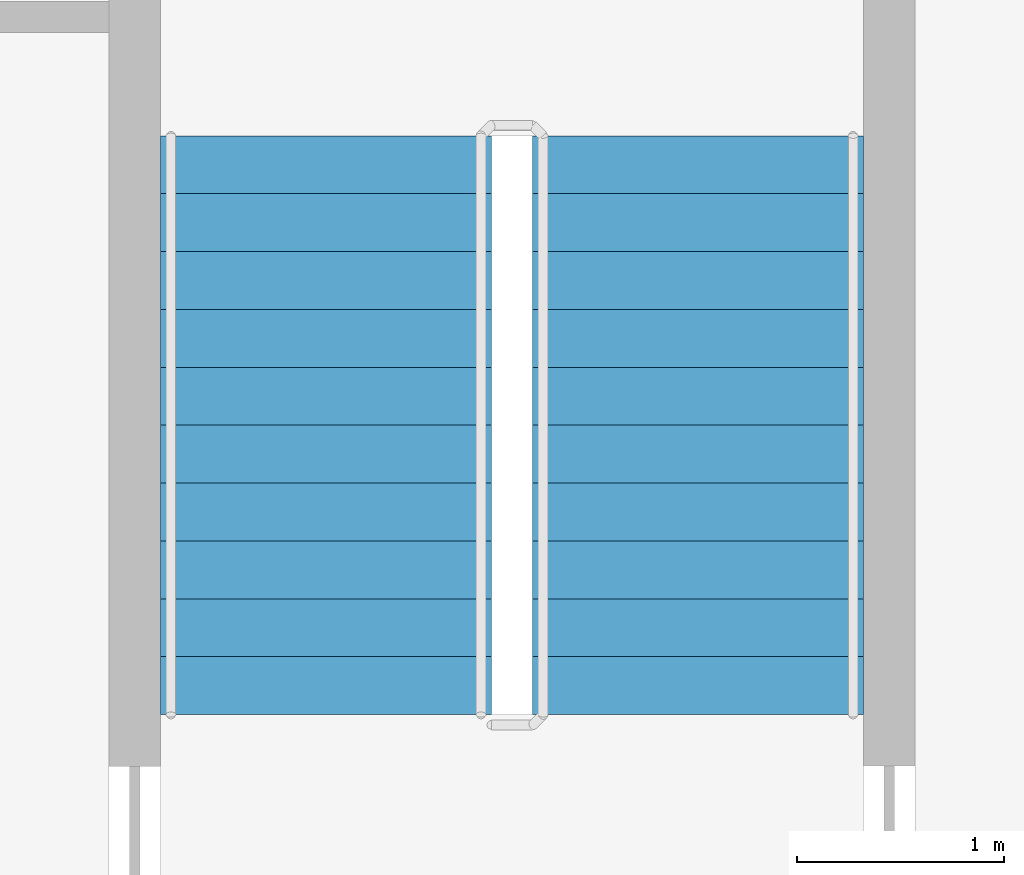
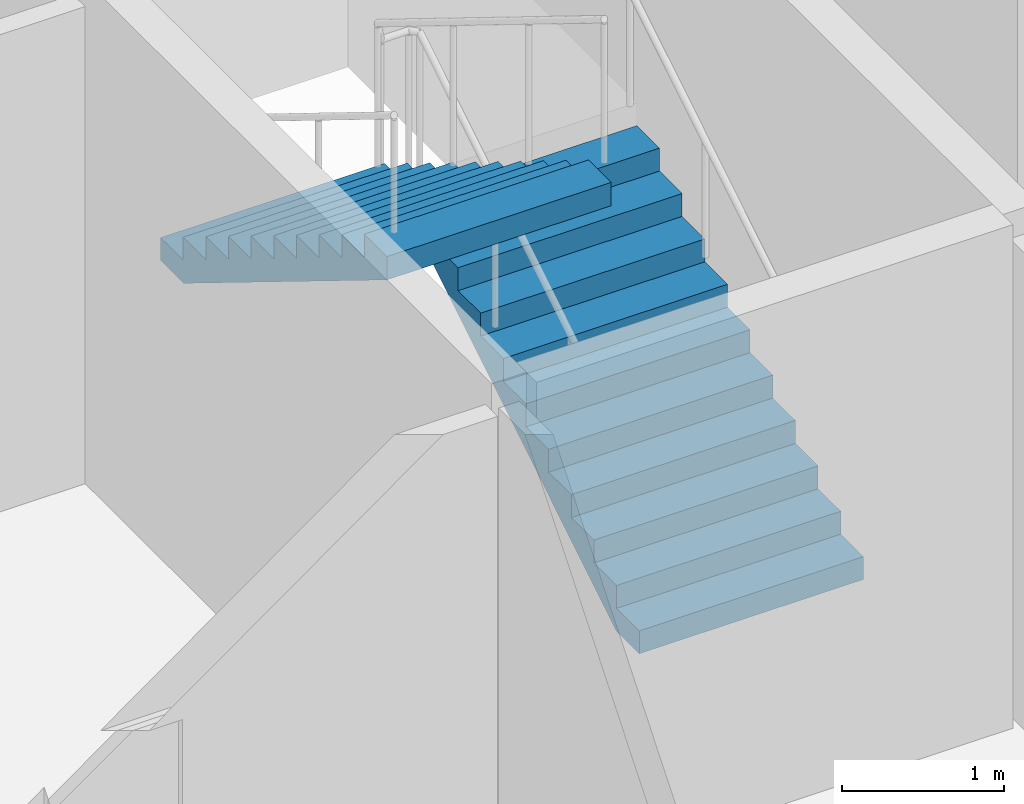
# One storey, part 11 of 13: 2 stair flights, 1 element without a shape of its own.
"""IFC4 building model written with IfcOpenShell, lengths in metres."""

import ifcopenshell
import ifcopenshell.guid

model = None  # the IFC model being written
_history = None  # IfcOwnerHistory: only IFC2X3 demands one
_inside = {}  # id of a spatial element -> (the spatial element, [elements in it])
_under = {}  # id of a project, library or spatial element -> (it, [spatial elements below it])
_declared = {}  # id of a project -> (the project, [libraries it declares])
_typed = {}  # id of a type object -> (the type object, [elements of that type])
_made_of = {}  # id of a material, layer set ... -> (it, [elements and type objects made of it])


def new_model(schema):
    """Start an empty IFC model of exactly this schema.

    Asked for "IFC4X3", IfcOpenShell would pick the latest addendum, in which some entities
    have other attributes; the version numbers below select the first issue.
    IFC2X3 requires an IfcOwnerHistory on every rooted entity: one is made here for all.
    """
    global model, _history
    if schema == "IFC4X3":
        model = ifcopenshell.file(schema_version=(4, 3, 0, 0))
    else:
        model = ifcopenshell.file(schema=schema)
    _inside.clear()
    _under.clear()
    _declared.clear()
    _typed.clear()
    _made_of.clear()
    _history = None
    if model.schema == "IFC2X3":
        org = make("IfcOrganization", Name="unknown")
        user = make(
            "IfcPersonAndOrganization",
            ThePerson=make("IfcPerson", FamilyName="unknown"),
            TheOrganization=org,
        )
        app = make(
            "IfcApplication",
            ApplicationDeveloper=org,
            Version="unknown",
            ApplicationFullName="unknown",
            ApplicationIdentifier="unknown",
        )
        _history = make(
            "IfcOwnerHistory",
            OwningUser=user,
            OwningApplication=app,
            ChangeAction="ADDED",
            CreationDate=0,
        )
    return model


def make(cls, **values):
    """One entity of the class cls with the attributes given. An attribute that is None is left unset."""
    return model.create_entity(
        cls, **{name: value for name, value in values.items() if value is not None}
    )


def rooted(cls, **values):
    """An entity with a GlobalId (a new one), such as an element, a storey or a relation."""
    return make(cls, GlobalId=ifcopenshell.guid.new(), OwnerHistory=_history, **values)


def si_unit(unit_type, name, prefix=None):
    """IfcSIUnit, for example si_unit("LENGTHUNIT", "METRE", prefix="MILLI")."""
    return make("IfcSIUnit", UnitType=unit_type, Prefix=prefix, Name=name)


def assignment(units):
    """IfcUnitAssignment: the units of a project."""
    return None if units is None else make("IfcUnitAssignment", Units=units)


def point(xyz):
    """IfcCartesianPoint."""
    return None if xyz is None else make("IfcCartesianPoint", Coordinates=xyz)


def direction(xyz):
    """IfcDirection."""
    return None if xyz is None else make("IfcDirection", DirectionRatios=xyz)


def frame(location, z_axis=None, x_axis=None):
    """IfcAxis2Placement3D, a coordinate frame: its origin and axes. An axis left out is left unset."""
    return make(
        "IfcAxis2Placement3D",
        Location=point(location),
        Axis=direction(z_axis),
        RefDirection=direction(x_axis),
    )


def origin():
    """The frame at (0, 0, 0) with its axes left unset."""
    return frame((0.0, 0.0, 0.0))


def place(relative_to, where):
    """IfcLocalPlacement: puts the frame where relative to a parent placement (None: the world)."""
    return make(
        "IfcLocalPlacement", PlacementRelTo=relative_to, RelativePlacement=where
    )


def context(
    kind, dimensions, precision=None, world=None, true_north=None, identifier=None
):
    """IfcGeometricRepresentationContext, for example the 3D "Model" context."""
    return make(
        "IfcGeometricRepresentationContext",
        ContextIdentifier=identifier,
        ContextType=kind,
        CoordinateSpaceDimension=dimensions,
        Precision=precision,
        WorldCoordinateSystem=world,
        TrueNorth=true_north,
    )


def subcontext(parent, identifier, kind, view, scale=None):
    """IfcGeometricRepresentationSubContext, for example "Body" below "Model"."""
    return make(
        "IfcGeometricRepresentationSubContext",
        ContextIdentifier=identifier,
        ContextType=kind,
        ParentContext=parent,
        TargetScale=scale,
        TargetView=view,
    )


def project(units=None, contexts=None):
    """IfcProject with its units and contexts."""
    return rooted(
        "IfcProject",
        Name="project",
        RepresentationContexts=contexts,
        UnitsInContext=assignment(units),
    )


def spatial(cls, under=None, at=None, **own):
    """A site, building, storey or space (cls), placed at a placement, below another one or the project."""
    s = rooted(cls, ObjectPlacement=at, **own)
    if under is not None:
        _under.setdefault(under.id(), (under, []))[1].append(s)
    return s


def polyline(points):
    """IfcPolyline through the points."""
    return make("IfcPolyline", Points=[point(p) for p in points])


def outline(outer, holes=None, kind="AREA"):
    """IfcArbitraryClosedProfileDef: a profile drawn as a closed curve; with holes, ...WithVoids."""
    if holes is None:
        return make("IfcArbitraryClosedProfileDef", ProfileType=kind, OuterCurve=outer)
    return make(
        "IfcArbitraryProfileDefWithVoids",
        ProfileType=kind,
        OuterCurve=outer,
        InnerCurves=holes,
    )


def extrude(swept, where, along, depth):
    """IfcExtrudedAreaSolid: the profile swept, set in the frame where, extruded along a direction by depth."""
    return make(
        "IfcExtrudedAreaSolid",
        SweptArea=swept,
        Position=where,
        ExtrudedDirection=direction(along),
        Depth=depth,
    )


def shape(context_of_items, identifier, shape_type, items):
    """IfcShapeRepresentation: the items that make up one representation, for example the "Body"."""
    return make(
        "IfcShapeRepresentation",
        ContextOfItems=context_of_items,
        RepresentationIdentifier=identifier,
        RepresentationType=shape_type,
        Items=items,
    )


def material(Name=None, Category=None):
    """IfcMaterial."""
    return make("IfcMaterial", Name=Name, Category=Category)


def made_of(thing, what):
    """Note that an element or type object is made of a material, layer set ...; save() writes the relation."""
    if what is not None:
        _made_of.setdefault(what.id(), (what, []))[1].append(thing)
    return thing


def type_object(cls, material=None, **own):
    """A type object (cls), such as IfcWallType, which elements share."""
    return made_of(rooted(cls, **own), material)


def element(
    cls,
    number,
    at=None,
    inside=None,
    cuts=None,
    type_object=None,
    material=None,
    context=None,
    identifier="Body",
    shape_type=None,
    held_by="IfcProductDefinitionShape",
    body=None,
    shapes=None,
    **own,
):
    """One element of the class cls, such as IfcWall. Its Tag is "e" and its number.

    at: its placement. inside: the storey or other place that contains it. cuts: it is an
    opening in that element (IfcRelVoidsElement). A single representation is given by context,
    identifier, shape_type and body (its items); several are given by shapes. held_by: the class
    of the entity that holds the representations. save() writes the other relations.
    """
    e = rooted(cls, Tag="e%d" % number, ObjectPlacement=at, **own)
    if body is not None:
        shapes = [shape(context, identifier, shape_type, body)]
    if shapes is not None:
        e.Representation = make(held_by, Representations=shapes)
    if inside is not None:
        _inside.setdefault(inside.id(), (inside, []))[1].append(e)
    if cuts is not None:
        rooted(
            "IfcRelVoidsElement", RelatingBuildingElement=cuts, RelatedOpeningElement=e
        )
    if type_object is not None:
        _typed.setdefault(type_object.id(), (type_object, []))[1].append(e)
    return made_of(e, material)


def aggregate(whole, parts):
    """IfcRelAggregates: a whole, such as a stair, and the parts it consists of."""
    return rooted("IfcRelAggregates", RelatingObject=whole, RelatedObjects=parts)


def save(model, path):
    """Write the relations noted so far, then the file.

    IfcRelAggregates (storeys below a building ...), IfcRelContainedInSpatialStructure (elements
    in a storey), IfcRelDefinesByType, IfcRelAssociatesMaterial and IfcRelDeclares: one each for
    every whole, place, type object, material and project.
    """
    for whole, parts in _under.values():
        aggregate(whole, parts)
    for where, things in _inside.values():
        rooted(
            "IfcRelContainedInSpatialStructure",
            RelatedElements=things,
            RelatingStructure=where,
        )
    for kind, things in _typed.values():
        rooted("IfcRelDefinesByType", RelatedObjects=things, RelatingType=kind)
    for what, things in _made_of.values():
        rooted("IfcRelAssociatesMaterial", RelatedObjects=things, RelatingMaterial=what)
    for by, libraries in _declared.values():
        rooted("IfcRelDeclares", RelatingContext=by, RelatedDefinitions=libraries)
    model.write(path)


model = new_model("IFC4")

# Units and contexts
model_context = context("Model", 3, precision=1e-05, world=origin(), true_north=direction((0.0, 1.0)))
body_context = subcontext(model_context, "Body", "Model", "MODEL_VIEW")
ifc_project = project(units=[si_unit("LENGTHUNIT", "METRE"), si_unit("AREAUNIT", "SQUARE_METRE"), si_unit("VOLUMEUNIT", "CUBIC_METRE"), si_unit("PLANEANGLEUNIT", "RADIAN"), si_unit("MASSUNIT", "GRAM", prefix="KILO")], contexts=[model_context])

# Site, building, storey
site_placement = place(None, origin())
site = spatial("IfcSite", under=ifc_project, at=site_placement, CompositionType="ELEMENT")
building_placement = place(site_placement, origin())
building = spatial("IfcBuilding", under=site, at=building_placement, Name="Tessera Gate Towers", CompositionType="ELEMENT")
storey_placement = place(building_placement, frame((0.0, 0.0, 120.199951171875)))
storey = spatial("IfcBuildingStorey", under=building, at=storey_placement, Name="L29", CompositionType="ELEMENT", Elevation=120.199951171875)

# Stair, stair flights
ifc_material_1 = material(Name="Concrete C40/50", Category="concrete")
stair_type = type_object("IfcStairType", Name="EXIT STAIR ST2 1600", PredefinedType="HALF_TURN_STAIR", material=ifc_material_1)
stair_placement = place(storey_placement, origin())
stair = element("IfcStair", 1, at=stair_placement, inside=storey, type_object=stair_type, Name="L29 Protected Exit Stair ST2", PredefinedType="HALF_TURN_STAIR")
ifc_material_2 = material(Name="Concrete C40/50", Category="concrete")
stair_flight_type = type_object("IfcStairFlightType", Name="EXIT STAIR FLIGHT ST2 1600", PredefinedType="STRAIGHT", material=ifc_material_2)
stair_flight_1_placement = place(storey_placement, frame((51.074951171875, 41.52490234375, 0.0), z_axis=(0.0, 0.0, 1.0), x_axis=(0.0, 1.0, 0.0)))
stair_flight_1 = element("IfcStairFlight", 2, at=stair_flight_1_placement, type_object=stair_flight_type, Name="ST2 flight 1", NumberOfRisers=11, NumberOfTreads=10, PredefinedType="STRAIGHT", RiserHeight=0.172727273, TreadLength=0.28, context=body_context, shape_type="SweptSolid", body=[
    extrude(outline(polyline([(0.0, 0.0), (0.0, 0.172607421875), (0.280029296875, 0.172607421875), (0.280029296875, 0.345458984375), (0.56005859375, 0.345458984375), (0.56005859375, 0.51806640625), (0.840087890625, 0.51806640625), (0.840087890625, 0.69091796875), (1.1201171875, 0.69091796875), (1.1201171875, 0.863525390625), (1.39990234375, 0.863525390625), (1.39990234375, 1.036376953125), (1.679931640625, 1.036376953125), (1.679931640625, 1.208984375), (1.9599609375, 1.208984375), (1.9599609375, 1.3818359375), (2.239990234375, 1.3818359375), (2.239990234375, 1.554443359375), (2.52001953125, 1.554443359375), (2.52001953125, 1.727294921875), (2.800048828125, 1.727294921875), (2.800048828125, 1.89990234375), (2.800048828125, 1.551025390625), (0.285400390625, 0.0), (0.0, 0.0)])), frame((0.0, 0.800048828125, 0.0), z_axis=(0.0, -1.0, 0.0), x_axis=(1.0, 0.0, 0.0)), (0.0, 0.0, 1.0), 1.60009765625),
])
stair_flight_2_placement = place(storey_placement, frame((49.27490234375, 44.324951171875, 1.900146484375), z_axis=(0.0, 0.0, 1.0), x_axis=(0.0, -1.0, 0.0)))
stair_flight_2 = element("IfcStairFlight", 3, at=stair_flight_2_placement, type_object=stair_flight_type, Name="ST2 flight 2", NumberOfRisers=11, NumberOfTreads=10, PredefinedType="STRAIGHT", RiserHeight=0.172727273, TreadLength=0.28, context=body_context, shape_type="SweptSolid", body=[
    extrude(outline(polyline([(0.0, 0.0), (0.0, 0.172607421875), (0.280029296875, 0.172607421875), (0.280029296875, 0.345458984375), (0.56005859375, 0.345458984375), (0.56005859375, 0.51806640625), (0.840087890625, 0.51806640625), (0.840087890625, 0.69091796875), (1.1201171875, 0.69091796875), (1.1201171875, 0.863525390625), (1.39990234375, 0.863525390625), (1.39990234375, 1.036376953125), (1.679931640625, 1.036376953125), (1.679931640625, 1.208984375), (1.9599609375, 1.208984375), (1.9599609375, 1.3818359375), (2.239990234375, 1.3818359375), (2.239990234375, 1.554443359375), (2.52001953125, 1.554443359375), (2.52001953125, 1.727294921875), (2.800048828125, 1.727294921875), (2.800048828125, 1.89990234375), (2.800048828125, 1.551025390625), (0.285400390625, 0.0), (0.0, 0.0)])), frame((0.0, 0.800048828125, 0.0), z_axis=(0.0, -1.0, 0.0), x_axis=(1.0, 0.0, 0.0)), (0.0, 0.0, 1.0), 1.60009765625),
])
aggregate(stair, [stair_flight_1, stair_flight_2])

save(model, "model.ifc")
